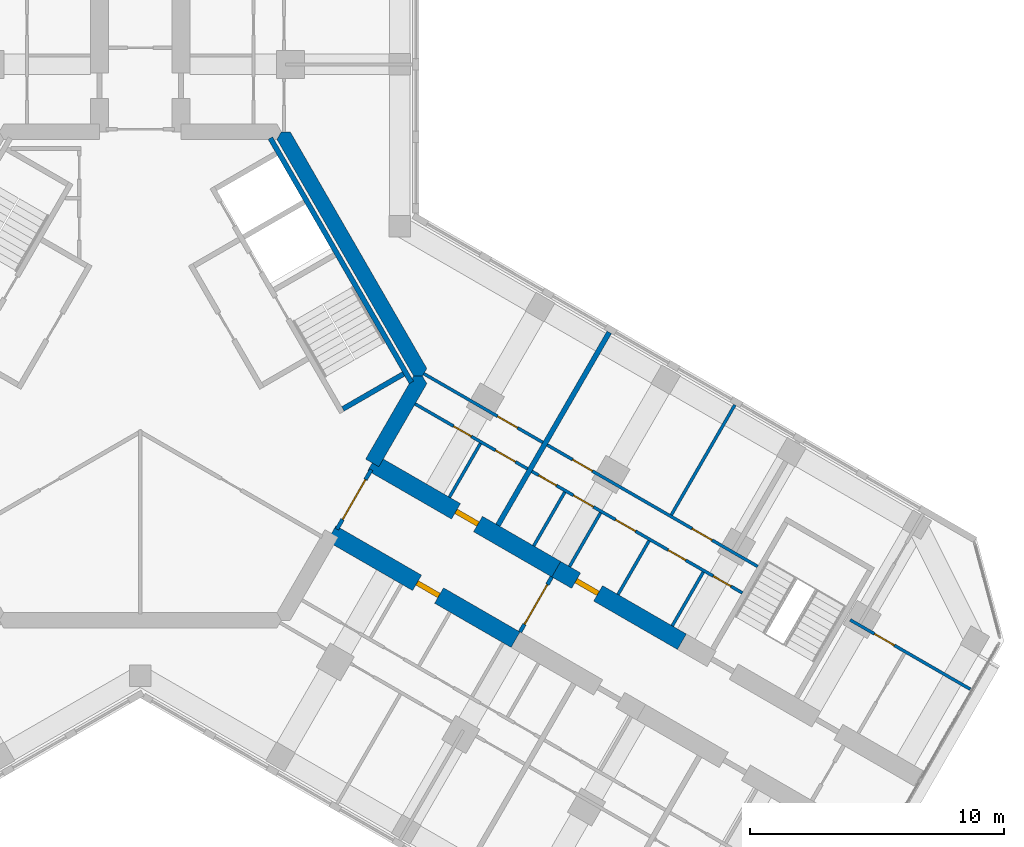
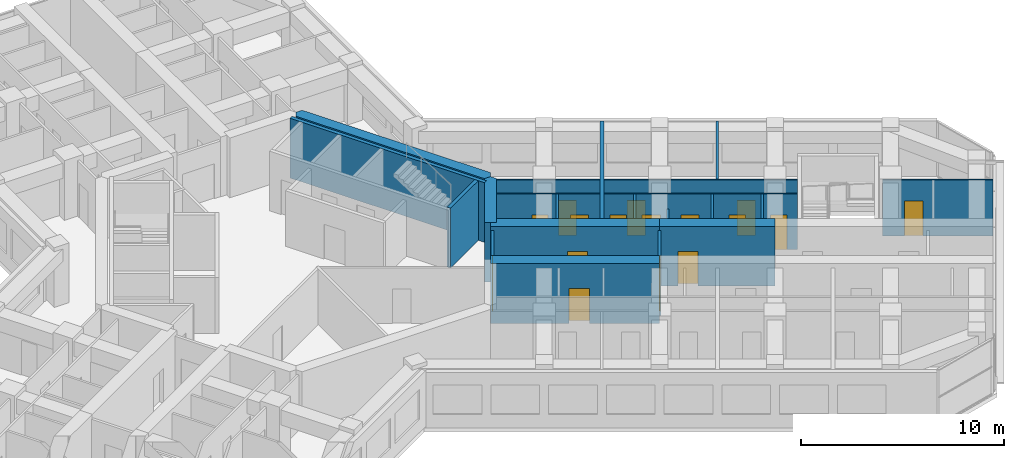
# One storey, part 12 of 16: 21 walls, 16 doors, 16 openings.
"""IFC4 building model written with IfcOpenShell, lengths in metres."""

import ifcopenshell
import ifcopenshell.guid

model = None  # the IFC model being written
_history = None  # IfcOwnerHistory: only IFC2X3 demands one
_inside = {}  # id of a spatial element -> (the spatial element, [elements in it])
_under = {}  # id of a project, library or spatial element -> (it, [spatial elements below it])
_declared = {}  # id of a project -> (the project, [libraries it declares])
_typed = {}  # id of a type object -> (the type object, [elements of that type])
_made_of = {}  # id of a material, layer set ... -> (it, [elements and type objects made of it])


def new_model(schema):
    """Start an empty IFC model of exactly this schema.

    Asked for "IFC4X3", IfcOpenShell would pick the latest addendum, in which some entities
    have other attributes; the version numbers below select the first issue.
    IFC2X3 requires an IfcOwnerHistory on every rooted entity: one is made here for all.
    """
    global model, _history
    if schema == "IFC4X3":
        model = ifcopenshell.file(schema_version=(4, 3, 0, 0))
    else:
        model = ifcopenshell.file(schema=schema)
    _inside.clear()
    _under.clear()
    _declared.clear()
    _typed.clear()
    _made_of.clear()
    _history = None
    if model.schema == "IFC2X3":
        org = make("IfcOrganization", Name="unknown")
        user = make(
            "IfcPersonAndOrganization",
            ThePerson=make("IfcPerson", FamilyName="unknown"),
            TheOrganization=org,
        )
        app = make(
            "IfcApplication",
            ApplicationDeveloper=org,
            Version="unknown",
            ApplicationFullName="unknown",
            ApplicationIdentifier="unknown",
        )
        _history = make(
            "IfcOwnerHistory",
            OwningUser=user,
            OwningApplication=app,
            ChangeAction="ADDED",
            CreationDate=0,
        )
    return model


def make(cls, **values):
    """One entity of the class cls with the attributes given. An attribute that is None is left unset."""
    return model.create_entity(
        cls, **{name: value for name, value in values.items() if value is not None}
    )


def rooted(cls, **values):
    """An entity with a GlobalId (a new one), such as an element, a storey or a relation."""
    return make(cls, GlobalId=ifcopenshell.guid.new(), OwnerHistory=_history, **values)


def si_unit(unit_type, name, prefix=None):
    """IfcSIUnit, for example si_unit("LENGTHUNIT", "METRE", prefix="MILLI")."""
    return make("IfcSIUnit", UnitType=unit_type, Prefix=prefix, Name=name)


def assignment(units):
    """IfcUnitAssignment: the units of a project."""
    return None if units is None else make("IfcUnitAssignment", Units=units)


def point(xyz):
    """IfcCartesianPoint."""
    return None if xyz is None else make("IfcCartesianPoint", Coordinates=xyz)


def direction(xyz):
    """IfcDirection."""
    return None if xyz is None else make("IfcDirection", DirectionRatios=xyz)


def frame(location, z_axis=None, x_axis=None):
    """IfcAxis2Placement3D, a coordinate frame: its origin and axes. An axis left out is left unset."""
    return make(
        "IfcAxis2Placement3D",
        Location=point(location),
        Axis=direction(z_axis),
        RefDirection=direction(x_axis),
    )


def frame_2d(location, x_axis=None):
    """IfcAxis2Placement2D, a coordinate frame in the plane: its origin and x axis."""
    return make(
        "IfcAxis2Placement2D", Location=point(location), RefDirection=direction(x_axis)
    )


def origin():
    """The frame at (0, 0, 0) with its axes left unset."""
    return frame((0.0, 0.0, 0.0))


def place(relative_to, where):
    """IfcLocalPlacement: puts the frame where relative to a parent placement (None: the world)."""
    return make(
        "IfcLocalPlacement", PlacementRelTo=relative_to, RelativePlacement=where
    )


def context(
    kind, dimensions, precision=None, world=None, true_north=None, identifier=None
):
    """IfcGeometricRepresentationContext, for example the 3D "Model" context."""
    return make(
        "IfcGeometricRepresentationContext",
        ContextIdentifier=identifier,
        ContextType=kind,
        CoordinateSpaceDimension=dimensions,
        Precision=precision,
        WorldCoordinateSystem=world,
        TrueNorth=true_north,
    )


def subcontext(parent, identifier, kind, view, scale=None):
    """IfcGeometricRepresentationSubContext, for example "Body" below "Model"."""
    return make(
        "IfcGeometricRepresentationSubContext",
        ContextIdentifier=identifier,
        ContextType=kind,
        ParentContext=parent,
        TargetScale=scale,
        TargetView=view,
    )


def project(units=None, contexts=None):
    """IfcProject with its units and contexts."""
    return rooted(
        "IfcProject",
        Name="project",
        RepresentationContexts=contexts,
        UnitsInContext=assignment(units),
    )


def spatial(cls, under=None, at=None, **own):
    """A site, building, storey or space (cls), placed at a placement, below another one or the project."""
    s = rooted(cls, ObjectPlacement=at, **own)
    if under is not None:
        _under.setdefault(under.id(), (under, []))[1].append(s)
    return s


def polyline(points):
    """IfcPolyline through the points."""
    return make("IfcPolyline", Points=[point(p) for p in points])


def profile(cls, at=None, kind="AREA", **sizes):
    """A parametric profile (cls). Its sizes go by their IFC names, for example OverallWidth=200.0."""
    return make(cls, ProfileType=kind, Position=at, **sizes)


def rectangle(**sizes):
    """IfcRectangleProfileDef."""
    return profile("IfcRectangleProfileDef", **sizes)


def outline(outer, holes=None, kind="AREA"):
    """IfcArbitraryClosedProfileDef: a profile drawn as a closed curve; with holes, ...WithVoids."""
    if holes is None:
        return make("IfcArbitraryClosedProfileDef", ProfileType=kind, OuterCurve=outer)
    return make(
        "IfcArbitraryProfileDefWithVoids",
        ProfileType=kind,
        OuterCurve=outer,
        InnerCurves=holes,
    )


def extrude(swept, where, along, depth):
    """IfcExtrudedAreaSolid: the profile swept, set in the frame where, extruded along a direction by depth."""
    return make(
        "IfcExtrudedAreaSolid",
        SweptArea=swept,
        Position=where,
        ExtrudedDirection=direction(along),
        Depth=depth,
    )


def shape(context_of_items, identifier, shape_type, items):
    """IfcShapeRepresentation: the items that make up one representation, for example the "Body"."""
    return make(
        "IfcShapeRepresentation",
        ContextOfItems=context_of_items,
        RepresentationIdentifier=identifier,
        RepresentationType=shape_type,
        Items=items,
    )


def material(Name=None, Category=None):
    """IfcMaterial."""
    return make("IfcMaterial", Name=Name, Category=Category)


def layer(
    of_material, thickness, ventilated=None, Name=None, Category=None, Priority=None
):
    """IfcMaterialLayer: one layer of a wall or slab, of a material (None: an air gap)."""
    return make(
        "IfcMaterialLayer",
        Material=of_material,
        LayerThickness=thickness,
        IsVentilated=ventilated,
        Name=Name,
        Category=Category,
        Priority=Priority,
    )


def layer_set(layers, Name=None):
    """IfcMaterialLayerSet."""
    return make("IfcMaterialLayerSet", MaterialLayers=layers, LayerSetName=Name)


def made_of(thing, what):
    """Note that an element or type object is made of a material, layer set ...; save() writes the relation."""
    if what is not None:
        _made_of.setdefault(what.id(), (what, []))[1].append(thing)
    return thing


def type_object(cls, material=None, **own):
    """A type object (cls), such as IfcWallType, which elements share."""
    return made_of(rooted(cls, **own), material)


def element(
    cls,
    number,
    at=None,
    inside=None,
    cuts=None,
    type_object=None,
    material=None,
    context=None,
    identifier="Body",
    shape_type=None,
    held_by="IfcProductDefinitionShape",
    body=None,
    shapes=None,
    **own,
):
    """One element of the class cls, such as IfcWall. Its Tag is "e" and its number.

    at: its placement. inside: the storey or other place that contains it. cuts: it is an
    opening in that element (IfcRelVoidsElement). A single representation is given by context,
    identifier, shape_type and body (its items); several are given by shapes. held_by: the class
    of the entity that holds the representations. save() writes the other relations.
    """
    e = rooted(cls, Tag="e%d" % number, ObjectPlacement=at, **own)
    if body is not None:
        shapes = [shape(context, identifier, shape_type, body)]
    if shapes is not None:
        e.Representation = make(held_by, Representations=shapes)
    if inside is not None:
        _inside.setdefault(inside.id(), (inside, []))[1].append(e)
    if cuts is not None:
        rooted(
            "IfcRelVoidsElement", RelatingBuildingElement=cuts, RelatedOpeningElement=e
        )
    if type_object is not None:
        _typed.setdefault(type_object.id(), (type_object, []))[1].append(e)
    return made_of(e, material)


def fill(opening, filler):
    """IfcRelFillsElement: the door or window that sits in an opening."""
    return rooted(
        "IfcRelFillsElement",
        RelatingOpeningElement=opening,
        RelatedBuildingElement=filler,
    )


def aggregate(whole, parts):
    """IfcRelAggregates: a whole, such as a stair, and the parts it consists of."""
    return rooted("IfcRelAggregates", RelatingObject=whole, RelatedObjects=parts)


def save(model, path):
    """Write the relations noted so far, then the file.

    IfcRelAggregates (storeys below a building ...), IfcRelContainedInSpatialStructure (elements
    in a storey), IfcRelDefinesByType, IfcRelAssociatesMaterial and IfcRelDeclares: one each for
    every whole, place, type object, material and project.
    """
    for whole, parts in _under.values():
        aggregate(whole, parts)
    for where, things in _inside.values():
        rooted(
            "IfcRelContainedInSpatialStructure",
            RelatedElements=things,
            RelatingStructure=where,
        )
    for kind, things in _typed.values():
        rooted("IfcRelDefinesByType", RelatedObjects=things, RelatingType=kind)
    for what, things in _made_of.values():
        rooted("IfcRelAssociatesMaterial", RelatedObjects=things, RelatingMaterial=what)
    for by, libraries in _declared.values():
        rooted("IfcRelDeclares", RelatingContext=by, RelatedDefinitions=libraries)
    model.write(path)


model = new_model("IFC4")

# Units and contexts
model_context = context("Model", 3, precision=1e-05, world=origin(), true_north=direction((0.0, 1.0)))
body_context = subcontext(model_context, "Body", "Model", "MODEL_VIEW")
ifc_project = project(units=[si_unit("LENGTHUNIT", "METRE"), si_unit("AREAUNIT", "SQUARE_METRE"), si_unit("VOLUMEUNIT", "CUBIC_METRE"), si_unit("PLANEANGLEUNIT", "RADIAN"), si_unit("MASSUNIT", "GRAM", prefix="KILO")], contexts=[model_context])

# Site, building, storey
site_placement = place(None, origin())
site = spatial("IfcSite", under=ifc_project, at=site_placement, CompositionType="ELEMENT")
building_placement = place(site_placement, origin())
building = spatial("IfcBuilding", under=site, at=building_placement, Name="Kosmar Iwan School Tower", CompositionType="ELEMENT")
storey_placement = place(building_placement, frame((0.0, 0.0, 238.800048828125)))
storey = spatial("IfcBuildingStorey", under=building, at=storey_placement, Name="L60", CompositionType="ELEMENT", Elevation=238.800048828125)

# Walls
ifc_material_1 = material(Name="Concrete C50/60", Category="concrete")
ifc_layer_1 = layer(ifc_material_1, 0.60009765625)
ifc_layer_set_1 = layer_set([ifc_layer_1], Name="Core wall 600")
wall_type_1 = type_object("IfcWallType", Name="Core wall 600", PredefinedType="SHEAR", material=ifc_layer_set_1)
wall_1_placement = place(storey_placement, origin())
element("IfcWall", 1, at=wall_1_placement, inside=storey, type_object=wall_type_1, Name="Core wall F030", PredefinedType="SHEAR", context=body_context, shape_type="SweptSolid", body=[
    extrude(outline(polyline([(10.73876953125, 0.0), (11.085205078125, 0.0), (11.25830078125, 0.300048828125), (5.888916015625, 9.60009765625), (5.54248046875, 9.60009765625), (5.369384765625, 9.300048828125), (10.73876953125, 0.0)])), origin(), (0.0, 0.0, 1.0), 3.599853515625),
])
wall_2_placement = place(storey_placement, origin())
element("IfcWall", 2, at=wall_2_placement, inside=storey, type_object=wall_type_1, Name="Core wall F330b", PredefinedType="SHEAR", context=body_context, shape_type="SweptSolid", body=[
    extrude(outline(polyline([(9.37353515625, -3.564453125), (11.25830078125, -0.300048828125), (11.085205078125, 0.0), (10.73876953125, 0.0), (8.85400390625, -3.264404296875), (9.37353515625, -3.564453125)])), origin(), (0.0, 0.0, 1.0), 3.599853515625),
])

# Wall, opening, door
ifc_material_2 = material(Name="Concrete C50/60", Category="concrete")
ifc_layer_2 = layer(ifc_material_2, 0.699951171875)
ifc_layer_set_2 = layer_set([ifc_layer_2], Name="Corridor buttress wall 700")
wall_type_2 = type_object("IfcWallType", Name="Corridor buttress wall 700", PredefinedType="SHEAR", material=ifc_layer_set_2)
wall_3_placement = place(storey_placement, frame((9.11376953125, -3.414306640625, 0.0), z_axis=(0.0, 0.0, 1.0), x_axis=(0.866026859388, -0.499997478812, 0.0)))
wall_3 = element("IfcWall", 3, at=wall_3_placement, inside=storey, type_object=wall_type_2, Name="Corridor wall CL", PredefinedType="SHEAR", context=body_context, shape_type="SweptSolid", body=[
    extrude(rectangle(XDim=8.35009765625, YDim=0.699951171875, at=frame_2d((4.175048828125, 0.0))), origin(), (0.0, 0.0, 1.0), 3.599853515625),
])
opening_1_placement = place(wall_3_placement, frame((3.800048828125, 0.0, 0.0)))
opening_1 = element("IfcOpeningElement", 4, at=opening_1_placement, cuts=wall_3, Name="Opening D1", PredefinedType="OPENING", context=body_context, shape_type="SweptSolid", body=[
    extrude(rectangle(XDim=1.0, YDim=2.10009765625, at=frame_2d((0.5, 1.050048828125))), frame((0.0, 0.362060546875, 0.0), z_axis=(0.0, -1.0, 0.0), x_axis=(1.0, 0.0, 0.0)), (0.0, 0.0, 1.0), 0.723876953125),
])
ifc_material_3 = material(Name="Timber fire door in steel frame", Category="steel")
door_type_1 = type_object("IfcDoorType", Name="Flat entrance door 1000x2100", OperationType="SINGLE_SWING_LEFT", PredefinedType="DOOR", material=ifc_material_3)
door_1_placement = place(opening_1_placement, origin())
door_1 = element("IfcDoor", 5, at=door_1_placement, inside=storey, type_object=door_type_1, Name="Flat L60-CL1 entrance door", OperationType="SINGLE_SWING_LEFT", OverallHeight=2.10009765625, OverallWidth=1.0, PredefinedType="DOOR", context=body_context, shape_type="SweptSolid", body=[
    extrude(rectangle(XDim=1.0, YDim=2.10009765625, at=frame_2d((0.5, 1.050048828125))), frame((0.0, 0.10009765625, 0.0), z_axis=(0.0, -1.0, 0.0), x_axis=(1.0, 0.0, 0.0)), (0.0, 0.0, 1.0), 0.199951171875),
])
fill(opening_1, door_1)

wall_4_placement = place(storey_placement, frame((16.34521484375, -7.58935546875, 0.0), z_axis=(0.0, 0.0, 1.0), x_axis=(0.866015111908, -0.50001782563, 0.0)))
wall_4 = element("IfcWall", 6, at=wall_4_placement, inside=storey, type_object=wall_type_2, Name="Corridor wall CL bay 2", PredefinedType="SHEAR", context=body_context, shape_type="SweptSolid", body=[
    extrude(rectangle(XDim=5.699951171875, YDim=0.699951171875, at=frame_2d((2.85009765625, 0.0))), origin(), (0.0, 0.0, 1.0), 3.599853515625),
])
opening_2_placement = place(wall_4_placement, frame((0.89990234375, 0.0, 0.0)))
opening_2 = element("IfcOpeningElement", 7, at=opening_2_placement, cuts=wall_4, Name="Opening D1", PredefinedType="OPENING", context=body_context, shape_type="SweptSolid", body=[
    extrude(rectangle(XDim=1.0, YDim=2.10009765625, at=frame_2d((0.5, 1.050048828125))), frame((0.0, 0.362060546875, 0.0), z_axis=(0.0, -1.0, 0.0), x_axis=(1.0, 0.0, 0.0)), (0.0, 0.0, 1.0), 0.723876953125),
])
door_2_placement = place(opening_2_placement, origin())
door_2 = element("IfcDoor", 8, at=door_2_placement, inside=storey, type_object=door_type_1, Name="Flat L60-CL2 entrance door", OperationType="SINGLE_SWING_LEFT", OverallHeight=2.10009765625, OverallWidth=1.0, PredefinedType="DOOR", context=body_context, shape_type="SweptSolid", body=[
    extrude(rectangle(XDim=1.0, YDim=2.10009765625, at=frame_2d((0.5, 1.050048828125))), frame((0.0, 0.10009765625, 0.0), z_axis=(0.0, -1.0, 0.0), x_axis=(1.0, 0.0, 0.0)), (0.0, 0.0, 1.0), 0.199951171875),
])
fill(opening_2, door_2)

wall_5_placement = place(storey_placement, frame((7.513916015625, -6.185546875, 0.0), z_axis=(0.0, 0.0, 1.0), x_axis=(0.866019549707, -0.500010139422, 0.0)))
wall_5 = element("IfcWall", 9, at=wall_5_placement, inside=storey, type_object=wall_type_2, Name="Corridor wall CR", PredefinedType="SHEAR", context=body_context, shape_type="SweptSolid", body=[
    extrude(rectangle(XDim=8.349853515625, YDim=0.699951171875, at=frame_2d((4.1748046875, 0.0))), origin(), (0.0, 0.0, 1.0), 3.599853515625),
])
opening_3_placement = place(wall_5_placement, frame((3.8798828125, 0.0, 0.0)))
opening_3 = element("IfcOpeningElement", 10, at=opening_3_placement, cuts=wall_5, Name="Opening D1", PredefinedType="OPENING", context=body_context, shape_type="SweptSolid", body=[
    extrude(rectangle(XDim=1.0, YDim=2.10009765625, at=frame_2d((0.5, 1.050048828125))), frame((0.0, 0.362060546875, 0.0), z_axis=(0.0, -1.0, 0.0), x_axis=(1.0, 0.0, 0.0)), (0.0, 0.0, 1.0), 0.723876953125),
])
door_3_placement = place(opening_3_placement, origin())
door_3 = element("IfcDoor", 11, at=door_3_placement, inside=storey, type_object=door_type_1, Name="Flat L60-CR1 entrance door", OperationType="SINGLE_SWING_RIGHT", OverallHeight=2.10009765625, OverallWidth=1.0, PredefinedType="DOOR", context=body_context, shape_type="SweptSolid", body=[
    extrude(rectangle(XDim=1.0, YDim=2.10009765625, at=frame_2d((0.5, 1.050048828125))), frame((0.0, 0.10009765625, 0.0), z_axis=(0.0, -1.0, 0.0), x_axis=(1.0, 0.0, 0.0)), (0.0, 0.0, 1.0), 0.199951171875),
])
fill(opening_3, door_3)

ifc_material_4 = material(Name="Gypsum board on steel studs, fire-rated", Category="steel")
ifc_layer_3 = layer(ifc_material_4, 0.14990234375)
ifc_layer_set_3 = layer_set([ifc_layer_3], Name="Corridor end wall 150")
wall_type_3 = type_object("IfcWallType", Name="Corridor end wall 150", PredefinedType="PARTITIONING", material=ifc_layer_set_3)
wall_6_placement = place(storey_placement, frame((14.920166015625, -10.0576171875, 0.0), z_axis=(0.0, 0.0, 1.0), x_axis=(0.500004234368, 0.866022959057, 0.0)))
wall_6 = element("IfcWall", 12, at=wall_6_placement, inside=storey, type_object=wall_type_3, Name="Partition L60-C-HW", PredefinedType="PARTITIONING", context=body_context, shape_type="SweptSolid", body=[
    extrude(rectangle(XDim=2.5, YDim=0.14990234375, at=frame_2d((1.25, 0.0))), origin(), (0.0, 0.0, 1.0), 3.349853515625),
])
opening_4_placement = place(wall_6_placement, frame((0.35009765625, 0.0, 0.0)))
opening_4 = element("IfcOpeningElement", 13, at=opening_4_placement, cuts=wall_6, Name="Opening D9", PredefinedType="OPENING", context=body_context, shape_type="SweptSolid", body=[
    extrude(rectangle(XDim=1.800048828125, YDim=2.10009765625, at=frame_2d((0.89990234375, 1.050048828125))), frame((0.0, 0.0869140625, 0.0), z_axis=(0.0, -1.0, 0.0), x_axis=(1.0, 0.0, 0.0)), (0.0, 0.0, 1.0), 0.173828125),
])
ifc_material_5 = material(Name="Steel framed glazed smoke door", Category="steel")
door_type_2 = type_object("IfcDoorType", Name="Corridor smoke door pair 1800x2100", OperationType="DOUBLE_DOOR_DOUBLE_SWING", PredefinedType="DOOR", material=ifc_material_5)
door_4_placement = place(opening_4_placement, origin())
door_4 = element("IfcDoor", 14, at=door_4_placement, inside=storey, type_object=door_type_2, Name="Entrance vestibule smoke doors L60-C", OperationType="DOUBLE_DOOR_DOUBLE_SWING", OverallHeight=2.10009765625, OverallWidth=1.800048828125, PredefinedType="DOOR", context=body_context, shape_type="SweptSolid", body=[
    extrude(rectangle(XDim=1.800048828125, YDim=2.10009765625, at=frame_2d((0.89990234375, 1.050048828125))), frame((0.0, 0.02490234375, 0.0), z_axis=(0.0, -1.0, 0.0), x_axis=(1.0, 0.0, 0.0)), (0.0, 0.0, 1.0), 0.050048828125),
])
fill(opening_4, door_4)

ifc_material_6 = material(Name="Steel framed glazed screen", Category="steel")
ifc_layer_4 = layer(ifc_material_6, 0.14990234375)
ifc_layer_set_4 = layer_set([ifc_layer_4], Name="Corridor screen wall 150")
wall_type_4 = type_object("IfcWallType", Name="Corridor screen wall 150", PredefinedType="PARTITIONING", material=ifc_layer_set_4)
wall_7_placement = place(storey_placement, frame((7.725341796875, -6.01904296875, 0.0), z_axis=(0.0, 0.0, 1.0), x_axis=(0.500048589285, 0.86599734893, 0.0)))
wall_7 = element("IfcWall", 15, at=wall_7_placement, inside=storey, type_object=wall_type_4, Name="Corridor screen C L60", PredefinedType="PARTITIONING", context=body_context, shape_type="SweptSolid", body=[
    extrude(rectangle(XDim=2.699951171875, YDim=0.14990234375, at=frame_2d((1.35009765625, 0.0))), origin(), (0.0, 0.0, 1.0), 3.349853515625),
])
opening_5_placement = place(wall_7_placement, frame((0.449951171875, 0.0, 0.0)))
opening_5 = element("IfcOpeningElement", 16, at=opening_5_placement, cuts=wall_7, Name="Opening D9", PredefinedType="OPENING", context=body_context, shape_type="SweptSolid", body=[
    extrude(rectangle(XDim=1.800048828125, YDim=2.10009765625, at=frame_2d((0.89990234375, 1.050048828125))), frame((0.0, 0.0869140625, 0.0), z_axis=(0.0, -1.0, 0.0), x_axis=(1.0, 0.0, 0.0)), (0.0, 0.0, 1.0), 0.173828125),
])
door_5_placement = place(opening_5_placement, origin())
door_5 = element("IfcDoor", 17, at=door_5_placement, inside=storey, type_object=door_type_2, Name="Corridor doors C L60", OperationType="DOUBLE_DOOR_DOUBLE_SWING", OverallHeight=2.10009765625, OverallWidth=1.800048828125, PredefinedType="DOOR", context=body_context, shape_type="SweptSolid", body=[
    extrude(rectangle(XDim=1.800048828125, YDim=2.10009765625, at=frame_2d((0.89990234375, 1.050048828125))), frame((0.0, 0.02490234375, 0.0), z_axis=(0.0, -1.0, 0.0), x_axis=(1.0, 0.0, 0.0)), (0.0, 0.0, 1.0), 0.050048828125),
])
fill(opening_5, door_5)

# Wall, openings, doors
ifc_material_7 = material(Name="Gypsum board on steel studs", Category="steel")
ifc_layer_5 = layer(ifc_material_7, 0.1201171875)
ifc_layer_set_5 = layer_set([ifc_layer_5], Name="Dwelling partition 120")
wall_type_5 = type_object("IfcWallType", Name="Dwelling partition 120", PredefinedType="PARTITIONING", material=ifc_layer_set_5)
wall_8_placement = place(storey_placement, frame((10.798583984375, -1.09619140625, 0.0), z_axis=(0.0, 0.0, 1.0), x_axis=(0.86602216432, -0.500005610874, 0.0)))
wall_8 = element("IfcWall", 18, at=wall_8_placement, inside=storey, type_object=wall_type_5, Name="Partition L60-CL1-W1", PredefinedType="PARTITIONING", context=body_context, shape_type="SweptSolid", body=[
    extrude(rectangle(XDim=5.10009765625, YDim=0.1201171875, at=frame_2d((2.550048828125, 0.0))), origin(), (0.0, 0.0, 1.0), 3.349853515625),
])
opening_6_placement = place(wall_8_placement, frame((1.75, 0.0, 0.0)))
opening_6 = element("IfcOpeningElement", 19, at=opening_6_placement, cuts=wall_8, Name="Opening D3", PredefinedType="OPENING", context=body_context, shape_type="SweptSolid", body=[
    extrude(rectangle(XDim=0.800048828125, YDim=2.10009765625, at=frame_2d((0.39990234375, 1.050048828125))), frame((0.0, 0.072021484375, 0.0), z_axis=(0.0, -1.0, 0.0), x_axis=(1.0, 0.0, 0.0)), (0.0, 0.0, 1.0), 0.14404296875),
])
opening_7_placement = place(wall_8_placement, frame((3.64990234375, 0.0, 0.0)))
opening_7 = element("IfcOpeningElement", 20, at=opening_7_placement, cuts=wall_8, Name="Opening D2", PredefinedType="OPENING", context=body_context, shape_type="SweptSolid", body=[
    extrude(rectangle(XDim=0.89990234375, YDim=2.10009765625, at=frame_2d((0.449951171875, 1.050048828125))), frame((0.0, 0.072021484375, 0.0), z_axis=(0.0, -1.0, 0.0), x_axis=(1.0, 0.0, 0.0)), (0.0, 0.0, 1.0), 0.14404296875),
])
ifc_material_8 = material(Name="Timber door in timber frame", Category="wood")
door_type_3 = type_object("IfcDoorType", Name="Internal door 900x2100", OperationType="SINGLE_SWING_LEFT", PredefinedType="DOOR", material=ifc_material_8)
door_6_placement = place(opening_7_placement, origin())
door_6 = element("IfcDoor", 21, at=door_6_placement, inside=storey, type_object=door_type_3, Name="Entrance hall door L60-CL1-S2", OperationType="SINGLE_SWING_RIGHT", OverallHeight=2.10009765625, OverallWidth=0.89990234375, PredefinedType="DOOR", context=body_context, shape_type="SweptSolid", body=[
    extrude(rectangle(XDim=0.89990234375, YDim=2.10009765625, at=frame_2d((0.449951171875, 1.050048828125))), frame((0.0, 0.02490234375, 0.0), z_axis=(0.0, -1.0, 0.0), x_axis=(1.0, 0.0, 0.0)), (0.0, 0.0, 1.0), 0.050048828125),
])
fill(opening_7, door_6)
ifc_material_9 = material(Name="Timber door in timber frame", Category="wood")
door_type_4 = type_object("IfcDoorType", Name="Sanitary room door 800x2100", OperationType="SINGLE_SWING_LEFT", PredefinedType="DOOR", material=ifc_material_9)
door_7_placement = place(opening_6_placement, origin())
door_7 = element("IfcDoor", 22, at=door_7_placement, inside=storey, type_object=door_type_4, Name="Bathroom door L60-CL1-S1", OperationType="SINGLE_SWING_LEFT", OverallHeight=2.10009765625, OverallWidth=0.800048828125, PredefinedType="DOOR", context=body_context, shape_type="SweptSolid", body=[
    extrude(rectangle(XDim=0.800048828125, YDim=2.10009765625, at=frame_2d((0.39990234375, 1.050048828125))), frame((0.0, 0.02490234375, 0.0), z_axis=(0.0, -1.0, 0.0), x_axis=(1.0, 0.0, 0.0)), (0.0, 0.0, 1.0), 0.050048828125),
])
fill(opening_6, door_7)

# Wall, opening, door
wall_9_placement = place(storey_placement, frame((11.138916015625, 0.093017578125, 0.0), z_axis=(0.0, 0.0, 1.0), x_axis=(0.866028230842, -0.499995103361, 0.0)))
wall_9 = element("IfcWall", 23, at=wall_9_placement, inside=storey, type_object=wall_type_5, Name="Partition L60-CL1-W2", PredefinedType="PARTITIONING", context=body_context, shape_type="SweptSolid", body=[
    extrude(rectangle(XDim=5.39990234375, YDim=0.1201171875, at=frame_2d((2.699951171875, 0.0))), origin(), (0.0, 0.0, 1.0), 3.349853515625),
])
opening_8_placement = place(wall_9_placement, frame((3.35009765625, 0.0, 0.0)))
opening_8 = element("IfcOpeningElement", 24, at=opening_8_placement, cuts=wall_9, Name="Opening D2", PredefinedType="OPENING", context=body_context, shape_type="SweptSolid", body=[
    extrude(rectangle(XDim=0.89990234375, YDim=2.10009765625, at=frame_2d((0.449951171875, 1.050048828125))), frame((0.0, 0.072021484375, 0.0), z_axis=(0.0, -1.0, 0.0), x_axis=(1.0, 0.0, 0.0)), (0.0, 0.0, 1.0), 0.14404296875),
])
door_8_placement = place(opening_8_placement, origin())
door_8 = element("IfcDoor", 25, at=door_8_placement, inside=storey, type_object=door_type_3, Name="Studio living room and kitchen door L60-CL1-F1", OperationType="SINGLE_SWING_RIGHT", OverallHeight=2.10009765625, OverallWidth=0.89990234375, PredefinedType="DOOR", context=body_context, shape_type="SweptSolid", body=[
    extrude(rectangle(XDim=0.89990234375, YDim=2.10009765625, at=frame_2d((0.449951171875, 1.050048828125))), frame((0.0, 0.02490234375, 0.0), z_axis=(0.0, -1.0, 0.0), x_axis=(1.0, 0.0, 0.0)), (0.0, 0.0, 1.0), 0.050048828125),
])
fill(opening_8, door_8)

# Wall
wall_10_placement = place(storey_placement, frame((12.146728515625, -4.76123046875, 0.0), z_axis=(0.0, 0.0, 1.0), x_axis=(0.500002508028, 0.866023955769, 0.0)))
element("IfcWall", 26, at=wall_10_placement, inside=storey, type_object=wall_type_5, Name="Partition L60-CL1-Y1", PredefinedType="PARTITIONING", context=body_context, shape_type="SweptSolid", body=[
    extrude(rectangle(XDim=2.43994140625, YDim=0.1201171875, at=frame_2d((1.219970703125, 0.0))), origin(), (0.0, 0.0, 1.0), 3.349853515625),
])

# Wall, openings, doors
wall_11_placement = place(storey_placement, frame((15.388671875, -3.74609375, 0.0), z_axis=(0.0, 0.0, 1.0), x_axis=(0.866017851049, -0.500013081493, 0.0)))
wall_11 = element("IfcWall", 27, at=wall_11_placement, inside=storey, type_object=wall_type_5, Name="Partition L60-CL2-W1", PredefinedType="PARTITIONING", context=body_context, shape_type="SweptSolid", body=[
    extrude(rectangle(XDim=9.550048828125, YDim=0.1201171875, at=frame_2d((4.77490234375, 0.0))), origin(), (0.0, 0.0, 1.0), 3.349853515625),
])
opening_9_placement = place(wall_11_placement, frame((0.3125, 0.0, 0.0)))
opening_9 = element("IfcOpeningElement", 28, at=opening_9_placement, cuts=wall_11, Name="Opening D3", PredefinedType="OPENING", context=body_context, shape_type="SweptSolid", body=[
    extrude(rectangle(XDim=0.800048828125, YDim=2.10009765625, at=frame_2d((0.39990234375, 1.050048828125))), frame((0.0, 0.072021484375, 0.0), z_axis=(0.0, -1.0, 0.0), x_axis=(1.0, 0.0, 0.0)), (0.0, 0.0, 1.0), 0.14404296875),
])
opening_10_placement = place(wall_11_placement, frame((1.887451171875, 0.0, 0.0)))
opening_10 = element("IfcOpeningElement", 29, at=opening_10_placement, cuts=wall_11, Name="Opening D2", PredefinedType="OPENING", context=body_context, shape_type="SweptSolid", body=[
    extrude(rectangle(XDim=0.89990234375, YDim=2.10009765625, at=frame_2d((0.449951171875, 1.050048828125))), frame((0.0, 0.072021484375, 0.0), z_axis=(0.0, -1.0, 0.0), x_axis=(1.0, 0.0, 0.0)), (0.0, 0.0, 1.0), 0.14404296875),
])
opening_11_placement = place(wall_11_placement, frame((3.800048828125, 0.0, 0.0)))
opening_11 = element("IfcOpeningElement", 30, at=opening_11_placement, cuts=wall_11, Name="Opening D2", PredefinedType="OPENING", context=body_context, shape_type="SweptSolid", body=[
    extrude(rectangle(XDim=0.89990234375, YDim=2.10009765625, at=frame_2d((0.449951171875, 1.050048828125))), frame((0.0, 0.072021484375, 0.0), z_axis=(0.0, -1.0, 0.0), x_axis=(1.0, 0.0, 0.0)), (0.0, 0.0, 1.0), 0.14404296875),
])
opening_12_placement = place(wall_11_placement, frame((6.179931640625, 0.0, 0.0)))
opening_12 = element("IfcOpeningElement", 31, at=opening_12_placement, cuts=wall_11, Name="Opening D3", PredefinedType="OPENING", context=body_context, shape_type="SweptSolid", body=[
    extrude(rectangle(XDim=0.800048828125, YDim=2.10009765625, at=frame_2d((0.39990234375, 1.050048828125))), frame((0.0, 0.072021484375, 0.0), z_axis=(0.0, -1.0, 0.0), x_axis=(1.0, 0.0, 0.0)), (0.0, 0.0, 1.0), 0.14404296875),
])
opening_13_placement = place(wall_11_placement, frame((8.22998046875, 0.0, 0.0)))
opening_13 = element("IfcOpeningElement", 32, at=opening_13_placement, cuts=wall_11, Name="Opening D3", PredefinedType="OPENING", context=body_context, shape_type="SweptSolid", body=[
    extrude(rectangle(XDim=0.800048828125, YDim=2.10009765625, at=frame_2d((0.39990234375, 1.050048828125))), frame((0.0, 0.072021484375, 0.0), z_axis=(0.0, -1.0, 0.0), x_axis=(1.0, 0.0, 0.0)), (0.0, 0.0, 1.0), 0.14404296875),
])
door_9_placement = place(opening_10_placement, origin())
door_9 = element("IfcDoor", 33, at=door_9_placement, inside=storey, type_object=door_type_3, Name="Pantry door L60-CL2-S2", OperationType="SINGLE_SWING_LEFT", OverallHeight=2.10009765625, OverallWidth=0.89990234375, PredefinedType="DOOR", context=body_context, shape_type="SweptSolid", body=[
    extrude(rectangle(XDim=0.89990234375, YDim=2.10009765625, at=frame_2d((0.449951171875, 1.050048828125))), frame((0.0, 0.02490234375, 0.0), z_axis=(0.0, -1.0, 0.0), x_axis=(1.0, 0.0, 0.0)), (0.0, 0.0, 1.0), 0.050048828125),
])
fill(opening_10, door_9)
door_10_placement = place(opening_11_placement, origin())
door_10 = element("IfcDoor", 34, at=door_10_placement, inside=storey, type_object=door_type_3, Name="Entrance hall door L60-CL2-S3", OperationType="SINGLE_SWING_LEFT", OverallHeight=2.10009765625, OverallWidth=0.89990234375, PredefinedType="DOOR", context=body_context, shape_type="SweptSolid", body=[
    extrude(rectangle(XDim=0.89990234375, YDim=2.10009765625, at=frame_2d((0.449951171875, 1.050048828125))), frame((0.0, 0.02490234375, 0.0), z_axis=(0.0, -1.0, 0.0), x_axis=(1.0, 0.0, 0.0)), (0.0, 0.0, 1.0), 0.050048828125),
])
fill(opening_11, door_10)
door_11_placement = place(opening_9_placement, origin())
door_11 = element("IfcDoor", 35, at=door_11_placement, inside=storey, type_object=door_type_4, Name="Store door L60-CL2-S1", OperationType="SINGLE_SWING_LEFT", OverallHeight=2.10009765625, OverallWidth=0.800048828125, PredefinedType="DOOR", context=body_context, shape_type="SweptSolid", body=[
    extrude(rectangle(XDim=0.800048828125, YDim=2.10009765625, at=frame_2d((0.39990234375, 1.050048828125))), frame((0.0, 0.02490234375, 0.0), z_axis=(0.0, -1.0, 0.0), x_axis=(1.0, 0.0, 0.0)), (0.0, 0.0, 1.0), 0.050048828125),
])
fill(opening_9, door_11)
door_12_placement = place(opening_12_placement, origin())
door_12 = element("IfcDoor", 36, at=door_12_placement, inside=storey, type_object=door_type_4, Name="Bathroom door L60-CL2-S4", OperationType="SINGLE_SWING_RIGHT", OverallHeight=2.10009765625, OverallWidth=0.800048828125, PredefinedType="DOOR", context=body_context, shape_type="SweptSolid", body=[
    extrude(rectangle(XDim=0.800048828125, YDim=2.10009765625, at=frame_2d((0.39990234375, 1.050048828125))), frame((0.0, 0.02490234375, 0.0), z_axis=(0.0, -1.0, 0.0), x_axis=(1.0, 0.0, 0.0)), (0.0, 0.0, 1.0), 0.050048828125),
])
fill(opening_12, door_12)
door_13_placement = place(opening_13_placement, origin())
door_13 = element("IfcDoor", 37, at=door_13_placement, inside=storey, type_object=door_type_4, Name="WC door L60-CL2-S5", OperationType="SINGLE_SWING_RIGHT", OverallHeight=2.10009765625, OverallWidth=0.800048828125, PredefinedType="DOOR", context=body_context, shape_type="SweptSolid", body=[
    extrude(rectangle(XDim=0.800048828125, YDim=2.10009765625, at=frame_2d((0.39990234375, 1.050048828125))), frame((0.0, 0.02490234375, 0.0), z_axis=(0.0, -1.0, 0.0), x_axis=(1.0, 0.0, 0.0)), (0.0, 0.0, 1.0), 0.050048828125),
])
fill(opening_13, door_13)

wall_12_placement = place(storey_placement, frame((15.988525390625, -2.70703125, 0.0), z_axis=(0.0, 0.0, 1.0), x_axis=(0.866028920859, -0.499993908199, 0.0)))
wall_12 = element("IfcWall", 38, at=wall_12_placement, inside=storey, type_object=wall_type_5, Name="Partition L60-CL2-W2", PredefinedType="PARTITIONING", context=body_context, shape_type="SweptSolid", body=[
    extrude(rectangle(XDim=9.5498046875, YDim=0.1201171875, at=frame_2d((4.77490234375, 0.0))), origin(), (0.0, 0.0, 1.0), 3.349853515625),
])
opening_14_placement = place(wall_12_placement, frame((1.14990234375, 0.0, 0.0)))
opening_14 = element("IfcOpeningElement", 39, at=opening_14_placement, cuts=wall_12, Name="Opening D2", PredefinedType="OPENING", context=body_context, shape_type="SweptSolid", body=[
    extrude(rectangle(XDim=0.89990234375, YDim=2.10009765625, at=frame_2d((0.449951171875, 1.050048828125))), frame((0.0, 0.072021484375, 0.0), z_axis=(0.0, -1.0, 0.0), x_axis=(1.0, 0.0, 0.0)), (0.0, 0.0, 1.0), 0.14404296875),
])
opening_15_placement = place(wall_12_placement, frame((6.574951171875, 0.0, 0.0)))
opening_15 = element("IfcOpeningElement", 40, at=opening_15_placement, cuts=wall_12, Name="Opening D2", PredefinedType="OPENING", context=body_context, shape_type="SweptSolid", body=[
    extrude(rectangle(XDim=0.89990234375, YDim=2.10009765625, at=frame_2d((0.449951171875, 1.050048828125))), frame((0.0, 0.072021484375, 0.0), z_axis=(0.0, -1.0, 0.0), x_axis=(1.0, 0.0, 0.0)), (0.0, 0.0, 1.0), 0.14404296875),
])
door_14_placement = place(opening_14_placement, origin())
door_14 = element("IfcDoor", 41, at=door_14_placement, inside=storey, type_object=door_type_3, Name="Living room and kitchen door L60-CL2-F1", OperationType="SINGLE_SWING_LEFT", OverallHeight=2.10009765625, OverallWidth=0.89990234375, PredefinedType="DOOR", context=body_context, shape_type="SweptSolid", body=[
    extrude(rectangle(XDim=0.89990234375, YDim=2.10009765625, at=frame_2d((0.449951171875, 1.050048828125))), frame((0.0, 0.02490234375, 0.0), z_axis=(0.0, -1.0, 0.0), x_axis=(1.0, 0.0, 0.0)), (0.0, 0.0, 1.0), 0.050048828125),
])
fill(opening_14, door_14)
door_15_placement = place(opening_15_placement, origin())
door_15 = element("IfcDoor", 42, at=door_15_placement, inside=storey, type_object=door_type_3, Name="Bedroom 1 door L60-CL2-F2", OperationType="SINGLE_SWING_RIGHT", OverallHeight=2.10009765625, OverallWidth=0.89990234375, PredefinedType="DOOR", context=body_context, shape_type="SweptSolid", body=[
    extrude(rectangle(XDim=0.89990234375, YDim=2.10009765625, at=frame_2d((0.449951171875, 1.050048828125))), frame((0.0, 0.02490234375, 0.0), z_axis=(0.0, -1.0, 0.0), x_axis=(1.0, 0.0, 0.0)), (0.0, 0.0, 1.0), 0.050048828125),
])
fill(opening_15, door_15)

# Walls
wall_13_placement = place(storey_placement, frame((20.868408203125, -5.455078125, 0.0), z_axis=(0.0, 0.0, 1.0), x_axis=(0.499975153383, 0.86603974851, 0.0)))
element("IfcWall", 43, at=wall_13_placement, inside=storey, type_object=wall_type_5, Name="Partition L60-CL2-X1", PredefinedType="PARTITIONING", context=body_context, shape_type="SweptSolid", body=[
    extrude(rectangle(XDim=4.989990234375, YDim=0.1201171875, at=frame_2d((2.4951171875, 0.0))), origin(), (0.0, 0.0, 1.0), 3.349853515625),
])
wall_14_placement = place(storey_placement, frame((15.459228515625, -6.673828125, 0.0), z_axis=(0.0, 0.0, 1.0), x_axis=(0.499959183527, 0.866048967903, 0.0)))
element("IfcWall", 44, at=wall_14_placement, inside=storey, type_object=wall_type_5, Name="Partition L60-CL2-Y1", PredefinedType="PARTITIONING", context=body_context, shape_type="SweptSolid", body=[
    extrude(rectangle(XDim=2.440185546875, YDim=0.1201171875, at=frame_2d((1.22021484375, 0.0))), origin(), (0.0, 0.0, 1.0), 3.349853515625),
])
wall_15_placement = place(storey_placement, frame((16.866455078125, -7.486328125, 0.0), z_axis=(0.0, 0.0, 1.0), x_axis=(0.500034220881, 0.866005645448, 0.0)))
element("IfcWall", 45, at=wall_15_placement, inside=storey, type_object=wall_type_5, Name="Partition L60-CL2-Y2", PredefinedType="PARTITIONING", context=body_context, shape_type="SweptSolid", body=[
    extrude(rectangle(XDim=2.440185546875, YDim=0.1201171875, at=frame_2d((1.22021484375, 0.0))), origin(), (0.0, 0.0, 1.0), 2.449951171875),
])
for number, where, z_axis, x_axis, name in (
    (46, (18.771728515625, -8.586181640625, 0.0), (0.0, 0.0, 1.0), (0.500077547548, 0.865980627057, 0.0), "Partition L60-CL2-Y3"),
    (47, (20.90234375, -9.816162109375, 0.0), (0.0, 0.0, 1.0), (0.500002508028, 0.866023955769, 0.0), "Partition L60-CL2-Y4"),
):
    element("IfcWall", number, at=place(storey_placement, frame(where, z_axis=z_axis, x_axis=x_axis)), inside=storey, type_object=wall_type_5, Name=name, PredefinedType="PARTITIONING", context=body_context, shape_type="SweptSolid", body=[
        extrude(rectangle(XDim=2.43994140625, YDim=0.1201171875, at=frame_2d((1.219970703125, 0.0))), origin(), (0.0, 0.0, 1.0), 3.349853515625),
    ])

# Wall, opening, door
wall_16_placement = place(storey_placement, frame((27.896484375, -9.58203125, 0.0), z_axis=(0.0, 0.0, 1.0), x_axis=(0.866035508231, -0.499982498177, 0.0)))
wall_16 = element("IfcWall", 48, at=wall_16_placement, inside=storey, type_object=wall_type_5, Name="Partition L60-CL3-TW", PredefinedType="PARTITIONING", context=body_context, shape_type="SweptSolid", body=[
    extrude(rectangle(XDim=5.445068359375, YDim=0.1201171875, at=frame_2d((2.72265625, 0.0))), origin(), (0.0, 0.0, 1.0), 3.349853515625),
])
opening_16_placement = place(wall_16_placement, frame((1.10009765625, 0.0, 0.0)))
opening_16 = element("IfcOpeningElement", 49, at=opening_16_placement, cuts=wall_16, Name="Opening D2", PredefinedType="OPENING", context=body_context, shape_type="SweptSolid", body=[
    extrude(rectangle(XDim=0.89990234375, YDim=2.10009765625, at=frame_2d((0.449951171875, 1.050048828125))), frame((0.0, 0.072021484375, 0.0), z_axis=(0.0, -1.0, 0.0), x_axis=(1.0, 0.0, 0.0)), (0.0, 0.0, 1.0), 0.14404296875),
])
door_16_placement = place(opening_16_placement, origin())
door_16 = element("IfcDoor", 50, at=door_16_placement, inside=storey, type_object=door_type_3, Name="Entrance hall door L60-CL3-T3", OperationType="SINGLE_SWING_LEFT", OverallHeight=2.10009765625, OverallWidth=0.89990234375, PredefinedType="DOOR", context=body_context, shape_type="SweptSolid", body=[
    extrude(rectangle(XDim=0.89990234375, YDim=2.10009765625, at=frame_2d((0.449951171875, 1.050048828125))), frame((0.0, 0.02490234375, 0.0), z_axis=(0.0, -1.0, 0.0), x_axis=(1.0, 0.0, 0.0)), (0.0, 0.0, 1.0), 0.050048828125),
])
fill(opening_16, door_16)

# Walls
ifc_material_10 = material(Name="Concrete C50/60", Category="concrete")
ifc_layer_6 = layer(ifc_material_10, 0.199951171875)
ifc_layer_set_6 = layer_set([ifc_layer_6], Name="Lift shaft wall 200")
wall_type_6 = type_object("IfcWallType", Name="Lift shaft wall 200", PredefinedType="SHEAR", material=ifc_layer_set_6)
wall_17_placement = place(storey_placement, frame((10.652099609375, -0.25, 0.0), z_axis=(0.0, 0.0, 1.0), x_axis=(-0.499990629522, 0.866030813765, 0.0)))
element("IfcWall", 51, at=wall_17_placement, inside=storey, type_object=wall_type_6, Name="Lift and stair back wall AC", PredefinedType="SHEAR", context=body_context, shape_type="SweptSolid", body=[
    extrude(rectangle(XDim=11.085205078125, YDim=0.199951171875, at=frame_2d((5.54248046875, 0.0))), origin(), (0.0, 0.0, 1.0), 3.599853515625),
])
ifc_material_11 = material(Name="Concrete block masonry", Category="masonry")
ifc_layer_7 = layer(ifc_material_11, 0.199951171875)
ifc_layer_set_7 = layer_set([ifc_layer_7], Name="Party wall 200")
wall_type_7 = type_object("IfcWallType", Name="Party wall 200", PredefinedType="PARTITIONING", material=ifc_layer_set_7)
wall_18_placement = place(storey_placement, frame((14.052001953125, -5.861328125, 0.0), z_axis=(0.0, 0.0, 1.0), x_axis=(0.499992152613, 0.866029934428, 0.0)))
element("IfcWall", 52, at=wall_18_placement, inside=storey, type_object=wall_type_7, Name="Partition L60-CL2-PW", PredefinedType="PARTITIONING", context=body_context, shape_type="SweptSolid", body=[
    extrude(rectangle(XDim=8.750244140625, YDim=0.199951171875, at=frame_2d((4.375, 0.0))), origin(), (0.0, 0.0, 1.0), 3.349853515625),
])
ifc_material_12 = material(Name="Concrete C50/60", Category="concrete")
ifc_layer_8 = layer(ifc_material_12, 0.199951171875)
ifc_layer_set_8 = layer_set([ifc_layer_8], Name="Stair enclosure wall 200")
wall_type_8 = type_object("IfcWallType", Name="Stair enclosure wall 200", PredefinedType="SHEAR", material=ifc_layer_set_8)
wall_19_placement = place(storey_placement, frame((7.962646484375, -1.291748046875, 0.0), z_axis=(0.0, 0.0, 1.0), x_axis=(0.866027397988, 0.499996545922, 0.0)))
element("IfcWall", 53, at=wall_19_placement, inside=storey, type_object=wall_type_8, Name="Stair ST1 wall", PredefinedType="SHEAR", context=body_context, shape_type="SweptSolid", body=[
    extrude(rectangle(XDim=2.75, YDim=0.199951171875, at=frame_2d((1.375, 0.0))), origin(), (0.0, 0.0, 1.0), 3.599853515625),
])

save(model, "model.ifc")
